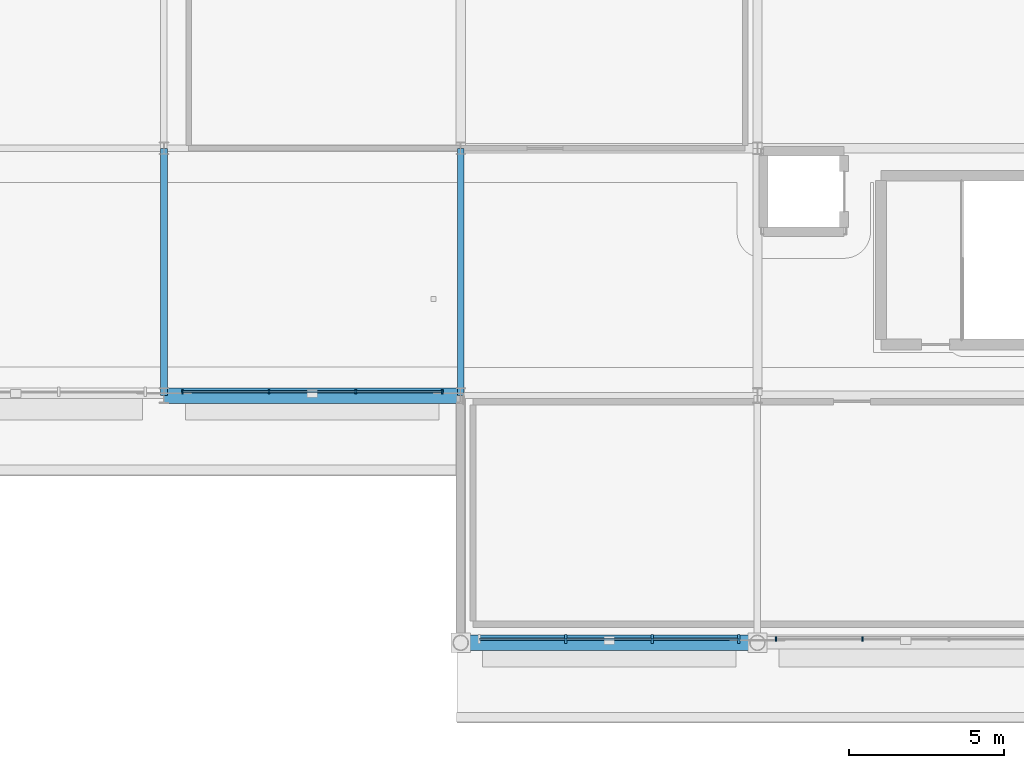
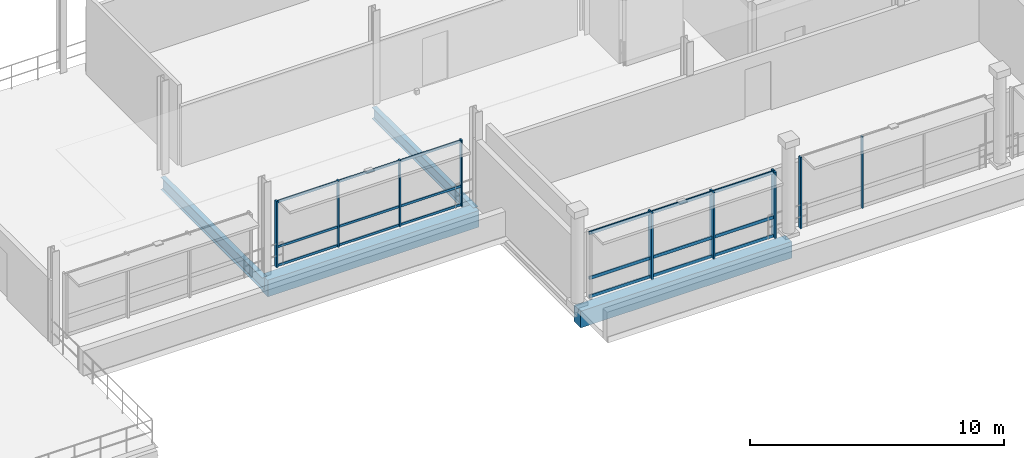
# One storey, part 29 of 59: 15 members, 4 beams, 3 elements without a shape of their own.
"""IFC4 building model written with IfcOpenShell, lengths in metres."""

import ifcopenshell
import ifcopenshell.guid

model = None  # the IFC model being written
_history = None  # IfcOwnerHistory: only IFC2X3 demands one
_inside = {}  # id of a spatial element -> (the spatial element, [elements in it])
_under = {}  # id of a project, library or spatial element -> (it, [spatial elements below it])
_declared = {}  # id of a project -> (the project, [libraries it declares])
_typed = {}  # id of a type object -> (the type object, [elements of that type])
_made_of = {}  # id of a material, layer set ... -> (it, [elements and type objects made of it])


def new_model(schema):
    """Start an empty IFC model of exactly this schema.

    Asked for "IFC4X3", IfcOpenShell would pick the latest addendum, in which some entities
    have other attributes; the version numbers below select the first issue.
    IFC2X3 requires an IfcOwnerHistory on every rooted entity: one is made here for all.
    """
    global model, _history
    if schema == "IFC4X3":
        model = ifcopenshell.file(schema_version=(4, 3, 0, 0))
    else:
        model = ifcopenshell.file(schema=schema)
    _inside.clear()
    _under.clear()
    _declared.clear()
    _typed.clear()
    _made_of.clear()
    _history = None
    if model.schema == "IFC2X3":
        org = make("IfcOrganization", Name="unknown")
        user = make(
            "IfcPersonAndOrganization",
            ThePerson=make("IfcPerson", FamilyName="unknown"),
            TheOrganization=org,
        )
        app = make(
            "IfcApplication",
            ApplicationDeveloper=org,
            Version="unknown",
            ApplicationFullName="unknown",
            ApplicationIdentifier="unknown",
        )
        _history = make(
            "IfcOwnerHistory",
            OwningUser=user,
            OwningApplication=app,
            ChangeAction="ADDED",
            CreationDate=0,
        )
    return model


def make(cls, **values):
    """One entity of the class cls with the attributes given. An attribute that is None is left unset."""
    return model.create_entity(
        cls, **{name: value for name, value in values.items() if value is not None}
    )


def rooted(cls, **values):
    """An entity with a GlobalId (a new one), such as an element, a storey or a relation."""
    return make(cls, GlobalId=ifcopenshell.guid.new(), OwnerHistory=_history, **values)


def si_unit(unit_type, name, prefix=None):
    """IfcSIUnit, for example si_unit("LENGTHUNIT", "METRE", prefix="MILLI")."""
    return make("IfcSIUnit", UnitType=unit_type, Prefix=prefix, Name=name)


def assignment(units):
    """IfcUnitAssignment: the units of a project."""
    return None if units is None else make("IfcUnitAssignment", Units=units)


def point(xyz):
    """IfcCartesianPoint."""
    return None if xyz is None else make("IfcCartesianPoint", Coordinates=xyz)


def direction(xyz):
    """IfcDirection."""
    return None if xyz is None else make("IfcDirection", DirectionRatios=xyz)


def frame(location, z_axis=None, x_axis=None):
    """IfcAxis2Placement3D, a coordinate frame: its origin and axes. An axis left out is left unset."""
    return make(
        "IfcAxis2Placement3D",
        Location=point(location),
        Axis=direction(z_axis),
        RefDirection=direction(x_axis),
    )


def frame_2d(location, x_axis=None):
    """IfcAxis2Placement2D, a coordinate frame in the plane: its origin and x axis."""
    return make(
        "IfcAxis2Placement2D", Location=point(location), RefDirection=direction(x_axis)
    )


def origin():
    """The frame at (0, 0, 0) with its axes left unset."""
    return frame((0.0, 0.0, 0.0))


def origin_2d():
    """The frame at (0, 0) in the plane with its x axis left unset."""
    return frame_2d((0.0, 0.0))


def place(relative_to, where):
    """IfcLocalPlacement: puts the frame where relative to a parent placement (None: the world)."""
    return make(
        "IfcLocalPlacement", PlacementRelTo=relative_to, RelativePlacement=where
    )


def context(
    kind, dimensions, precision=None, world=None, true_north=None, identifier=None
):
    """IfcGeometricRepresentationContext, for example the 3D "Model" context."""
    return make(
        "IfcGeometricRepresentationContext",
        ContextIdentifier=identifier,
        ContextType=kind,
        CoordinateSpaceDimension=dimensions,
        Precision=precision,
        WorldCoordinateSystem=world,
        TrueNorth=true_north,
    )


def subcontext(parent, identifier, kind, view, scale=None):
    """IfcGeometricRepresentationSubContext, for example "Body" below "Model"."""
    return make(
        "IfcGeometricRepresentationSubContext",
        ContextIdentifier=identifier,
        ContextType=kind,
        ParentContext=parent,
        TargetScale=scale,
        TargetView=view,
    )


def project(units=None, contexts=None):
    """IfcProject with its units and contexts."""
    return rooted(
        "IfcProject",
        Name="project",
        RepresentationContexts=contexts,
        UnitsInContext=assignment(units),
    )


def spatial(cls, under=None, at=None, **own):
    """A site, building, storey or space (cls), placed at a placement, below another one or the project."""
    s = rooted(cls, ObjectPlacement=at, **own)
    if under is not None:
        _under.setdefault(under.id(), (under, []))[1].append(s)
    return s


def profile(cls, at=None, kind="AREA", **sizes):
    """A parametric profile (cls). Its sizes go by their IFC names, for example OverallWidth=200.0."""
    return make(cls, ProfileType=kind, Position=at, **sizes)


def rectangle(**sizes):
    """IfcRectangleProfileDef."""
    return profile("IfcRectangleProfileDef", **sizes)


def i_section(**sizes):
    """IfcIShapeProfileDef."""
    return profile("IfcIShapeProfileDef", **sizes)


def extrude(swept, where, along, depth):
    """IfcExtrudedAreaSolid: the profile swept, set in the frame where, extruded along a direction by depth."""
    return make(
        "IfcExtrudedAreaSolid",
        SweptArea=swept,
        Position=where,
        ExtrudedDirection=direction(along),
        Depth=depth,
    )


def shape(context_of_items, identifier, shape_type, items):
    """IfcShapeRepresentation: the items that make up one representation, for example the "Body"."""
    return make(
        "IfcShapeRepresentation",
        ContextOfItems=context_of_items,
        RepresentationIdentifier=identifier,
        RepresentationType=shape_type,
        Items=items,
    )


def material(Name=None, Category=None):
    """IfcMaterial."""
    return make("IfcMaterial", Name=Name, Category=Category)


def material_profile(
    of_material, cross_section, Name=None, Category=None, Priority=None
):
    """IfcMaterialProfile: a cross section and its material."""
    return make(
        "IfcMaterialProfile",
        Name=Name,
        Material=of_material,
        Profile=cross_section,
        Priority=Priority,
        Category=Category,
    )


def profile_set(profiles, Name=None, composite=None):
    """IfcMaterialProfileSet."""
    return make(
        "IfcMaterialProfileSet",
        Name=Name,
        MaterialProfiles=profiles,
        CompositeProfile=composite,
    )


def made_of(thing, what):
    """Note that an element or type object is made of a material, layer set ...; save() writes the relation."""
    if what is not None:
        _made_of.setdefault(what.id(), (what, []))[1].append(thing)
    return thing


def type_object(cls, material=None, **own):
    """A type object (cls), such as IfcWallType, which elements share."""
    return made_of(rooted(cls, **own), material)


def element(
    cls,
    number,
    at=None,
    inside=None,
    cuts=None,
    type_object=None,
    material=None,
    context=None,
    identifier="Body",
    shape_type=None,
    held_by="IfcProductDefinitionShape",
    body=None,
    shapes=None,
    **own,
):
    """One element of the class cls, such as IfcWall. Its Tag is "e" and its number.

    at: its placement. inside: the storey or other place that contains it. cuts: it is an
    opening in that element (IfcRelVoidsElement). A single representation is given by context,
    identifier, shape_type and body (its items); several are given by shapes. held_by: the class
    of the entity that holds the representations. save() writes the other relations.
    """
    e = rooted(cls, Tag="e%d" % number, ObjectPlacement=at, **own)
    if body is not None:
        shapes = [shape(context, identifier, shape_type, body)]
    if shapes is not None:
        e.Representation = make(held_by, Representations=shapes)
    if inside is not None:
        _inside.setdefault(inside.id(), (inside, []))[1].append(e)
    if cuts is not None:
        rooted(
            "IfcRelVoidsElement", RelatingBuildingElement=cuts, RelatedOpeningElement=e
        )
    if type_object is not None:
        _typed.setdefault(type_object.id(), (type_object, []))[1].append(e)
    return made_of(e, material)


def aggregate(whole, parts):
    """IfcRelAggregates: a whole, such as a stair, and the parts it consists of."""
    return rooted("IfcRelAggregates", RelatingObject=whole, RelatedObjects=parts)


def save(model, path):
    """Write the relations noted so far, then the file.

    IfcRelAggregates (storeys below a building ...), IfcRelContainedInSpatialStructure (elements
    in a storey), IfcRelDefinesByType, IfcRelAssociatesMaterial and IfcRelDeclares: one each for
    every whole, place, type object, material and project.
    """
    for whole, parts in _under.values():
        aggregate(whole, parts)
    for where, things in _inside.values():
        rooted(
            "IfcRelContainedInSpatialStructure",
            RelatedElements=things,
            RelatingStructure=where,
        )
    for kind, things in _typed.values():
        rooted("IfcRelDefinesByType", RelatedObjects=things, RelatingType=kind)
    for what, things in _made_of.values():
        rooted("IfcRelAssociatesMaterial", RelatedObjects=things, RelatingMaterial=what)
    for by, libraries in _declared.values():
        rooted("IfcRelDeclares", RelatingContext=by, RelatedDefinitions=libraries)
    model.write(path)


model = new_model("IFC4")

# Units and contexts
model_context = context("Model", 3, precision=1e-05, world=origin(), true_north=direction((0.0, 1.0)))
body_context = subcontext(model_context, "Body", "Model", "MODEL_VIEW")
ifc_project = project(units=[si_unit("LENGTHUNIT", "METRE"), si_unit("AREAUNIT", "SQUARE_METRE"), si_unit("VOLUMEUNIT", "CUBIC_METRE"), si_unit("PLANEANGLEUNIT", "RADIAN"), si_unit("MASSUNIT", "GRAM", prefix="KILO")], contexts=[model_context])

# Site, building, storey
site_placement = place(None, origin())
site = spatial("IfcSite", under=ifc_project, at=site_placement, CompositionType="ELEMENT")
building_placement = place(site_placement, origin())
building = spatial("IfcBuilding", under=site, at=building_placement, Name="Danafjord Basin Convention Centre", CompositionType="ELEMENT")
storey_placement = place(building_placement, frame((0.0, 0.0, 15.89990234375)))
storey = spatial("IfcBuildingStorey", under=building, at=storey_placement, Name="L03", CompositionType="ELEMENT", Elevation=15.89990234375)

# Beams
ifc_material_1 = material(Name="Steel S355", Category="steel")
ifc_material_profile_1 = material_profile(ifc_material_1, i_section(OverallWidth=0.2099609375, OverallDepth=0.550048828125, WebThickness=0.010986328125, FlangeThickness=0.01708984375, FilletRadius=0.02392578125, at=origin_2d()), Name="IPE 550")
ifc_profile_set_1 = profile_set([ifc_material_profile_1], Name="Steel S355")
beam_type_1 = type_object("IfcBeamType", Name="BEAM-BM-IPE550", PredefinedType="BEAM", material=ifc_profile_set_1)
beam_1_placement = place(storey_placement, frame((172.800048828125, 8.0, -0.4990234375), z_axis=(0.0, 1.0, 0.0), x_axis=(-1.0, 0.0, 0.0)))
element("IfcBeam", 1, at=beam_1_placement, inside=storey, type_object=beam_type_1, Name="L03 transverse girder BM-IPE550", PredefinedType="BEAM", context=body_context, shape_type="SweptSolid", body=[
    extrude(i_section(OverallWidth=0.2099609375, OverallDepth=0.550048828125, WebThickness=0.010986328125, FlangeThickness=0.01708984375, FilletRadius=0.02392578125, at=origin_2d()), origin(), (0.0, 0.0, 1.0), 8.0),
])
ifc_material_profile_2 = material_profile(ifc_material_1, i_section(OverallWidth=0.219970703125, OverallDepth=0.60009765625, WebThickness=0.011962890625, FlangeThickness=0.01904296875, FilletRadius=0.02392578125, at=origin_2d()), Name="IPE 600")
ifc_profile_set_2 = profile_set([ifc_material_profile_2], Name="Steel S355")
beam_type_2 = type_object("IfcBeamType", Name="BEAM-BM-IPE600", PredefinedType="BEAM", material=ifc_profile_set_2)
beam_2_placement = place(storey_placement, frame((163.199951171875, 8.0, -0.52392578125), z_axis=(0.0, 1.0, 0.0), x_axis=(-1.0, 0.0, 0.0)))
element("IfcBeam", 2, at=beam_2_placement, inside=storey, type_object=beam_type_2, Name="L03 transverse girder BM-IPE600", PredefinedType="BEAM", context=body_context, shape_type="SweptSolid", body=[
    extrude(i_section(OverallWidth=0.219970703125, OverallDepth=0.60009765625, WebThickness=0.011962890625, FlangeThickness=0.01904296875, FilletRadius=0.02392578125, at=origin_2d()), origin(), (0.0, 0.0, 1.0), 8.0),
])
ifc_material_2 = material(Name="Precast concrete C45/55", Category="concrete")
ifc_material_profile_3 = material_profile(ifc_material_2, rectangle(XDim=0.5, YDim=0.800048828125, at=origin_2d()), Name="PCB 500x800")
ifc_profile_set_3 = profile_set([ifc_material_profile_3], Name="Precast concrete C45/55")
beam_type_3 = type_object("IfcBeamType", Name="BEAM-SP-PCB800", PredefinedType="SPANDREL", material=ifc_profile_set_3)
beam_3_placement = place(storey_placement, frame((163.199951171875, 8.0, -0.6240234375), z_axis=(1.0, 0.0, 0.0), x_axis=(0.0, 1.0, 0.0)))
element("IfcBeam", 3, at=beam_3_placement, inside=storey, type_object=beam_type_3, Name="L03 girder SP-PCB800", PredefinedType="SPANDREL", context=body_context, shape_type="SweptSolid", body=[
    extrude(rectangle(XDim=0.5, YDim=0.800048828125, at=origin_2d()), origin(), (0.0, 0.0, 1.0), 9.60009765625),
])
beam_4_placement = place(storey_placement, frame((172.800048828125, 0.0, -0.6240234375), z_axis=(1.0, 0.0, 0.0), x_axis=(0.0, 1.0, 0.0)))
element("IfcBeam", 4, at=beam_4_placement, inside=storey, type_object=beam_type_3, Name="L03 girder SP-PCB800", PredefinedType="SPANDREL", context=body_context, shape_type="SweptSolid", body=[
    extrude(rectangle(XDim=0.5, YDim=0.800048828125, at=origin_2d()), origin(), (0.0, 0.0, 1.0), 9.599853515625),
])

# Curtain wall, members
ifc_material_3 = material(Name="Anodised aluminium and triple glazing", Category="aluminium")
curtain_wall_type = type_object("IfcCurtainWallType", Name="CW-CW-HARB", PredefinedType="NOTDEFINED", material=ifc_material_3)
curtain_wall_1_placement = place(storey_placement, origin())
curtain_wall_1 = element("IfcCurtainWall", 5, at=curtain_wall_1_placement, inside=storey, type_object=curtain_wall_type, Name="L03 CW-HARB unitised curtain wall bay 140", PredefinedType="NOTDEFINED")
ifc_material_4 = material(Name="Anodised aluminium EN AW-6060", Category="aluminium")
ifc_material_profile_4 = material_profile(ifc_material_4, rectangle(XDim=0.06005859375, YDim=0.139892578125, at=origin_2d()), Name="MULL 60x140")
ifc_profile_set_4 = profile_set([ifc_material_profile_4], Name="Anodised aluminium EN AW-6060")
member_type_1 = type_object("IfcMemberType", Name="MEM-ML-140", PredefinedType="MULLION", material=ifc_profile_set_4)
member_1_placement = place(storey_placement, frame((183.0, 0.1201171875, -0.02490234375), z_axis=(0.0, 0.0, 1.0), x_axis=(1.0, 0.0, 0.0)))
member_1 = element("IfcMember", 6, at=member_1_placement, type_object=member_type_1, Name="CW-L03-140 mullion 1", PredefinedType="MULLION", context=body_context, shape_type="SweptSolid", body=[
    extrude(rectangle(XDim=0.06005859375, YDim=0.139892578125, at=origin_2d()), origin(), (0.0, 0.0, 1.0), 3.449951171875),
])
member_2_placement = place(storey_placement, frame((185.800048828125, 0.1201171875, -0.02490234375), z_axis=(0.0, 0.0, 1.0), x_axis=(1.0, 0.0, 0.0)))
member_2 = element("IfcMember", 7, at=member_2_placement, type_object=member_type_1, Name="CW-L03-140 mullion 2", PredefinedType="MULLION", context=body_context, shape_type="SweptSolid", body=[
    extrude(rectangle(XDim=0.06005859375, YDim=0.139892578125, at=origin_2d()), origin(), (0.0, 0.0, 1.0), 3.449951171875),
])
aggregate(curtain_wall_1, [member_1, member_2])

curtain_wall_2_placement = place(storey_placement, origin())
curtain_wall_2 = element("IfcCurtainWall", 8, at=curtain_wall_2_placement, inside=storey, type_object=curtain_wall_type, Name="L03 CW-HARB unitised curtain wall bay 150", PredefinedType="NOTDEFINED")
member_3_placement = place(storey_placement, frame((163.800048828125, 8.1201171875, -0.02490234375), z_axis=(0.0, 0.0, 1.0), x_axis=(1.0, 0.0, 0.0)))
member_3 = element("IfcMember", 9, at=member_3_placement, type_object=member_type_1, Name="CW-L03-150 mullion 1", PredefinedType="MULLION", context=body_context, shape_type="SweptSolid", body=[
    extrude(rectangle(XDim=0.06005859375, YDim=0.139892578125, at=origin_2d()), origin(), (0.0, 0.0, 1.0), 3.199951171875),
])
member_4_placement = place(storey_placement, frame((166.60009765625, 8.1201171875, -0.02490234375), z_axis=(0.0, 0.0, 1.0), x_axis=(1.0, 0.0, 0.0)))
member_4 = element("IfcMember", 10, at=member_4_placement, type_object=member_type_1, Name="CW-L03-150 mullion 2", PredefinedType="MULLION", context=body_context, shape_type="SweptSolid", body=[
    extrude(rectangle(XDim=0.06005859375, YDim=0.139892578125, at=origin_2d()), origin(), (0.0, 0.0, 1.0), 3.199951171875),
])
member_5_placement = place(storey_placement, frame((169.39990234375, 8.1201171875, -0.02490234375), z_axis=(0.0, 0.0, 1.0), x_axis=(1.0, 0.0, 0.0)))
member_5 = element("IfcMember", 11, at=member_5_placement, type_object=member_type_1, Name="CW-L03-150 mullion 3", PredefinedType="MULLION", context=body_context, shape_type="SweptSolid", body=[
    extrude(rectangle(XDim=0.06005859375, YDim=0.139892578125, at=origin_2d()), origin(), (0.0, 0.0, 1.0), 3.199951171875),
])
member_6_placement = place(storey_placement, frame((172.199951171875, 8.1201171875, -0.02490234375), z_axis=(0.0, 0.0, 1.0), x_axis=(1.0, 0.0, 0.0)))
member_6 = element("IfcMember", 12, at=member_6_placement, type_object=member_type_1, Name="CW-L03-150 mullion 4", PredefinedType="MULLION", context=body_context, shape_type="SweptSolid", body=[
    extrude(rectangle(XDim=0.06005859375, YDim=0.139892578125, at=origin_2d()), origin(), (0.0, 0.0, 1.0), 3.199951171875),
])

curtain_wall_3_placement = place(storey_placement, origin())
curtain_wall_3 = element("IfcCurtainWall", 13, at=curtain_wall_3_placement, inside=storey, type_object=curtain_wall_type, Name="L03 CW-HARB unitised curtain wall bay 139", PredefinedType="NOTDEFINED")
ifc_material_profile_5 = material_profile(ifc_material_4, rectangle(XDim=0.080078125, YDim=0.300048828125, at=origin_2d()), Name="MULL 80x300")
ifc_profile_set_5 = profile_set([ifc_material_profile_5], Name="Anodised aluminium EN AW-6060")
member_type_2 = type_object("IfcMemberType", Name="MEM-ML-300", PredefinedType="MULLION", material=ifc_profile_set_5)
member_7_placement = place(storey_placement, frame((176.199951171875, 0.1201171875, -0.02490234375), z_axis=(0.0, 0.0, 1.0), x_axis=(1.0, 0.0, 0.0)))
member_7 = element("IfcMember", 14, at=member_7_placement, type_object=member_type_2, Name="CW-L03-139 mullion 2", PredefinedType="MULLION", context=body_context, shape_type="SweptSolid", body=[
    extrude(rectangle(XDim=0.080078125, YDim=0.300048828125, at=origin_2d()), origin(), (0.0, 0.0, 1.0), 3.199951171875),
])
member_8_placement = place(storey_placement, frame((179.0, 0.1201171875, -0.02490234375), z_axis=(0.0, 0.0, 1.0), x_axis=(1.0, 0.0, 0.0)))
member_8 = element("IfcMember", 15, at=member_8_placement, type_object=member_type_2, Name="CW-L03-139 mullion 3", PredefinedType="MULLION", context=body_context, shape_type="SweptSolid", body=[
    extrude(rectangle(XDim=0.080078125, YDim=0.300048828125, at=origin_2d()), origin(), (0.0, 0.0, 1.0), 3.199951171875),
])
member_9_placement = place(storey_placement, frame((181.800048828125, 0.1201171875, -0.02490234375), z_axis=(0.0, 0.0, 1.0), x_axis=(1.0, 0.0, 0.0)))
member_9 = element("IfcMember", 16, at=member_9_placement, type_object=member_type_2, Name="CW-L03-139 mullion 4", PredefinedType="MULLION", context=body_context, shape_type="SweptSolid", body=[
    extrude(rectangle(XDim=0.080078125, YDim=0.300048828125, at=origin_2d()), origin(), (0.0, 0.0, 1.0), 3.199951171875),
])

# Member
ifc_material_profile_6 = material_profile(ifc_material_4, rectangle(XDim=0.06005859375, YDim=0.110107421875, at=origin_2d()), Name="TRAN 60x110")
ifc_profile_set_6 = profile_set([ifc_material_profile_6], Name="Anodised aluminium EN AW-6060")
member_type_3 = type_object("IfcMemberType", Name="MEM-TR-110", PredefinedType="USERDEFINED", material=ifc_profile_set_6)
member_10_placement = place(storey_placement, frame((163.800048828125, 8.1201171875, 0.06005859375), z_axis=(1.0, 0.0, 0.0), x_axis=(0.0, 1.0, 0.0)))
member_10 = element("IfcMember", 17, at=member_10_placement, type_object=member_type_3, Name="CW-L03-150 transom 1", ObjectType="TRANSOM", PredefinedType="USERDEFINED", context=body_context, shape_type="SweptSolid", body=[
    extrude(rectangle(XDim=0.06005859375, YDim=0.110107421875, at=origin_2d()), origin(), (0.0, 0.0, 1.0), 8.39990234375),
])

member_11_placement = place(storey_placement, frame((163.800048828125, 8.1201171875, 0.9501953125), z_axis=(1.0, 0.0, 0.0), x_axis=(0.0, 1.0, 0.0)))
member_11 = element("IfcMember", 18, at=member_11_placement, type_object=member_type_3, Name="CW-L03-150 transom 2", ObjectType="TRANSOM", PredefinedType="USERDEFINED", context=body_context, shape_type="SweptSolid", body=[
    extrude(rectangle(XDim=0.06005859375, YDim=0.110107421875, at=origin_2d()), origin(), (0.0, 0.0, 1.0), 8.39990234375),
])

member_12_placement = place(storey_placement, frame((163.800048828125, 8.1201171875, 3.10498046875), z_axis=(1.0, 0.0, 0.0), x_axis=(0.0, 1.0, 0.0)))
member_12 = element("IfcMember", 19, at=member_12_placement, type_object=member_type_3, Name="CW-L03-150 transom 3", ObjectType="TRANSOM", PredefinedType="USERDEFINED", context=body_context, shape_type="SweptSolid", body=[
    extrude(rectangle(XDim=0.06005859375, YDim=0.110107421875, at=origin_2d()), origin(), (0.0, 0.0, 1.0), 8.39990234375),
])

aggregate(curtain_wall_2, [member_3, member_4, member_5, member_6, member_10, member_11, member_12])

ifc_material_profile_7 = material_profile(ifc_material_4, rectangle(XDim=0.06005859375, YDim=0.14990234375, at=origin_2d()), Name="TRAN 60x150")
ifc_profile_set_7 = profile_set([ifc_material_profile_7], Name="Anodised aluminium EN AW-6060")
member_type_4 = type_object("IfcMemberType", Name="MEM-TR-150", PredefinedType="USERDEFINED", material=ifc_profile_set_7)
member_13_placement = place(storey_placement, frame((173.39990234375, 0.1201171875, 0.06005859375), z_axis=(1.0, 0.0, 0.0), x_axis=(0.0, 1.0, 0.0)))
member_13 = element("IfcMember", 20, at=member_13_placement, type_object=member_type_4, Name="CW-L03-139 transom 1", ObjectType="TRANSOM", PredefinedType="USERDEFINED", context=body_context, shape_type="SweptSolid", body=[
    extrude(rectangle(XDim=0.06005859375, YDim=0.14990234375, at=origin_2d()), origin(), (0.0, 0.0, 1.0), 8.400146484375),
])

member_14_placement = place(storey_placement, frame((173.39990234375, 0.1201171875, 0.9501953125), z_axis=(1.0, 0.0, 0.0), x_axis=(0.0, 1.0, 0.0)))
member_14 = element("IfcMember", 21, at=member_14_placement, type_object=member_type_4, Name="CW-L03-139 transom 2", ObjectType="TRANSOM", PredefinedType="USERDEFINED", context=body_context, shape_type="SweptSolid", body=[
    extrude(rectangle(XDim=0.06005859375, YDim=0.14990234375, at=origin_2d()), origin(), (0.0, 0.0, 1.0), 8.400146484375),
])

member_15_placement = place(storey_placement, frame((173.39990234375, 0.1201171875, 3.10498046875), z_axis=(1.0, 0.0, 0.0), x_axis=(0.0, 1.0, 0.0)))
member_15 = element("IfcMember", 22, at=member_15_placement, type_object=member_type_4, Name="CW-L03-139 transom 3", ObjectType="TRANSOM", PredefinedType="USERDEFINED", context=body_context, shape_type="SweptSolid", body=[
    extrude(rectangle(XDim=0.06005859375, YDim=0.14990234375, at=origin_2d()), origin(), (0.0, 0.0, 1.0), 8.400146484375),
])

aggregate(curtain_wall_3, [member_7, member_8, member_9, member_13, member_14, member_15])

save(model, "model.ifc")
